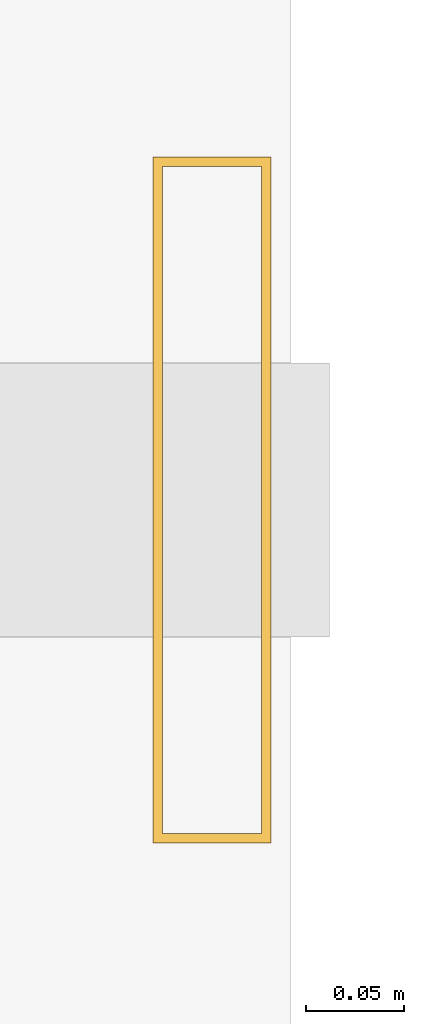
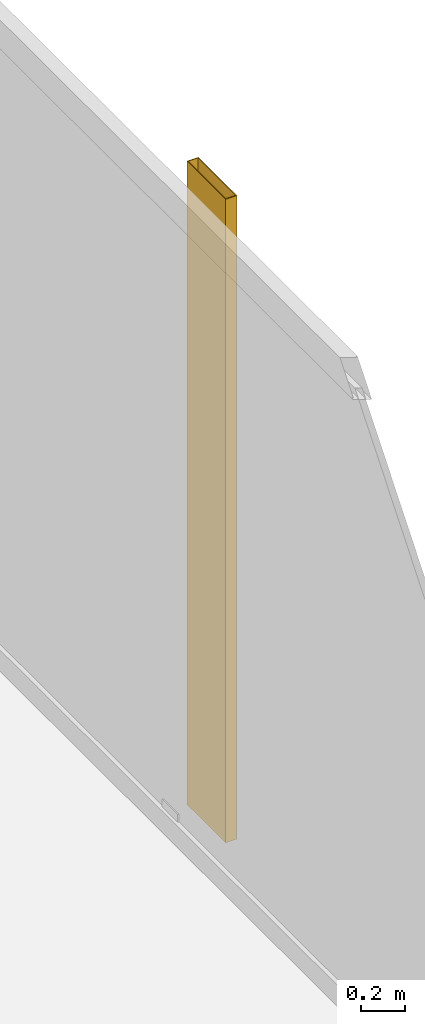
# One storey, part 27 of 27: 1 shading device.
"""IFC4 building model written with IfcOpenShell, lengths in metres."""

from ifc_helpers import new_model, si_unit, direction, frame, origin, origin_2d, place, context, subcontext, project, spatial, hollow_rectangle, extrude, material, material_profile, profile_set, type_object, element, save


model = new_model("IFC4")

# Units and contexts
model_context = context("Model", 3, precision=1e-05, world=origin(), true_north=direction((0.0, 1.0)))
body_context = subcontext(model_context, "Body", "Model", "MODEL_VIEW")
ifc_project = project(units=[si_unit("LENGTHUNIT", "METRE"), si_unit("AREAUNIT", "SQUARE_METRE"), si_unit("VOLUMEUNIT", "CUBIC_METRE"), si_unit("PLANEANGLEUNIT", "RADIAN"), si_unit("MASSUNIT", "GRAM", prefix="KILO")], contexts=[model_context])

# Site, building, storey
site_placement = place(None, origin())
site = spatial("IfcSite", under=ifc_project, at=site_placement, CompositionType="ELEMENT")
building_placement = place(site_placement, origin())
building = spatial("IfcBuilding", under=site, at=building_placement, Name="Kolvaren Waterfront Exchange", CompositionType="ELEMENT")
storey_placement = place(building_placement, frame((0.0, 0.0, 191.800048828125)))
storey = spatial("IfcBuildingStorey", under=building, at=storey_placement, Name="L49", CompositionType="ELEMENT", Elevation=191.800048828125)

# Shading device
ifc_material = material(Name="Anodised bronze aluminium 6063-T6", Category="aluminium")
ifc_material_profile = material_profile(ifc_material, hollow_rectangle(XDim=0.06005859375, YDim=0.35009765625, WallThickness=0.0048828125, at=origin_2d()), Name="BRZ-FIN-350x60x5")
ifc_profile_set = profile_set([ifc_material_profile], Name="Anodised bronze aluminium 6063-T6")
shading_device_type = type_object("IfcShadingDeviceType", Name="ARC-FIN-350", PredefinedType="USERDEFINED", material=ifc_profile_set)
shading_device_placement = place(storey_placement, frame((22.56005859375, 38.0, 0.0), z_axis=(0.0, 0.0, 1.0), x_axis=(1.0, 0.0, 0.0)))
element("IfcShadingDevice", 1, at=shading_device_placement, inside=storey, type_object=shading_device_type, Name="L49 anodised bronze solar shading fin FIN-L49-E3", ObjectType="SOLAR FIN", PredefinedType="USERDEFINED", context=body_context, shape_type="SweptSolid", body=[
    extrude(hollow_rectangle(XDim=0.06005859375, YDim=0.35009765625, WallThickness=0.0048828125, at=origin_2d()), origin(), (0.0, 0.0, 1.0), 3.56005859375),
])

save(model, "model.ifc")
